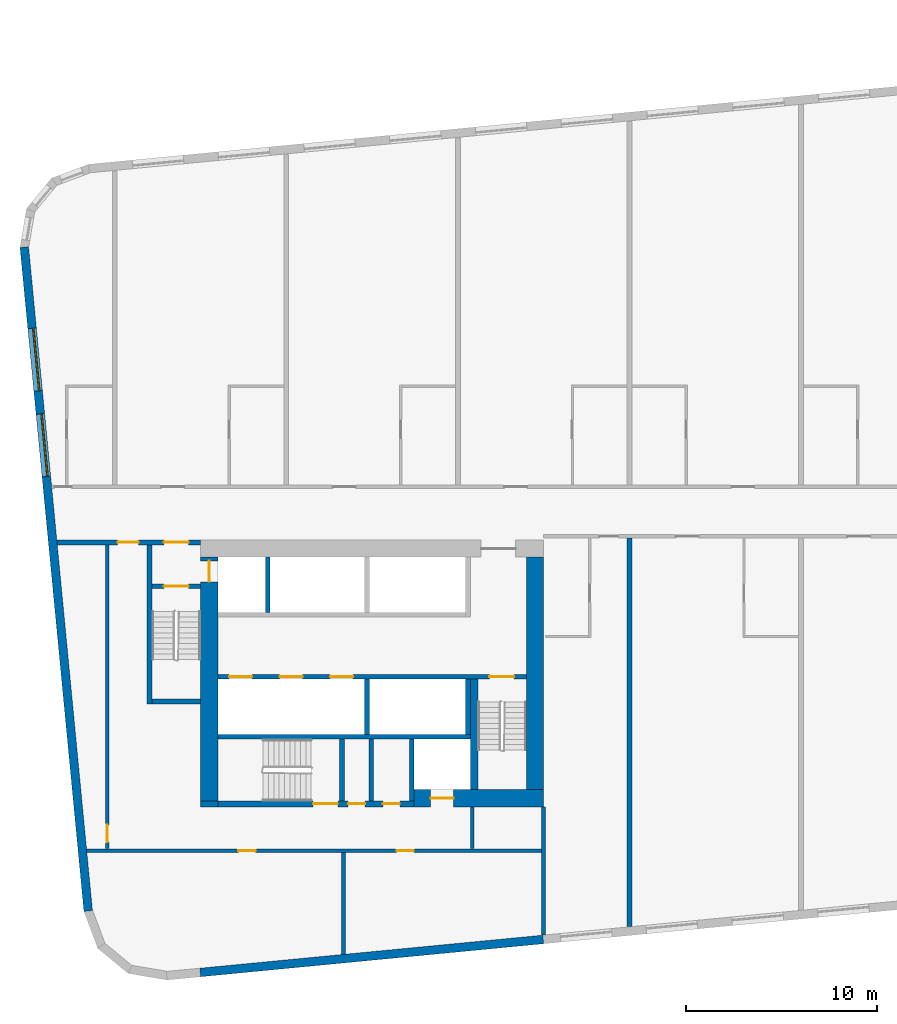
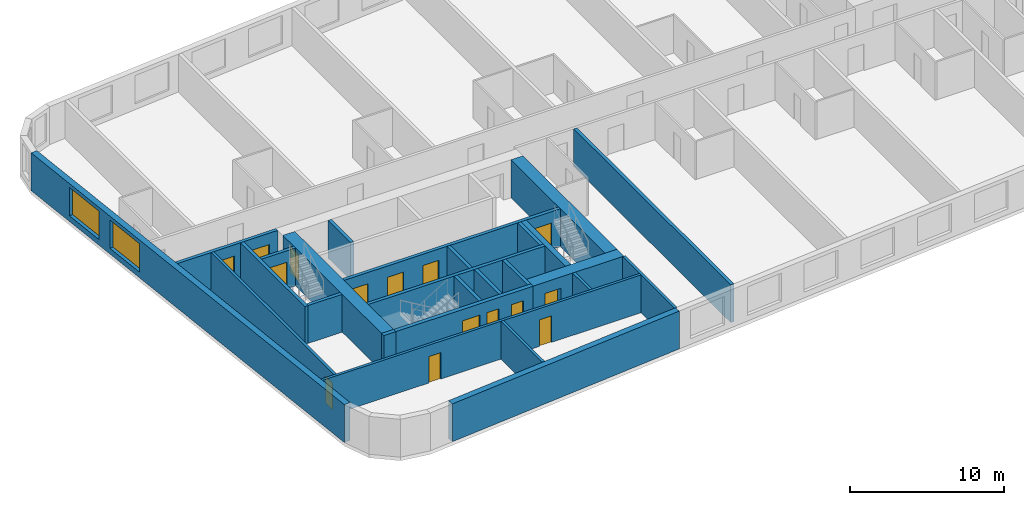
# One storey, part 2 of 12: 26 walls, 15 doors, 2 windows, 17 openings.
"""IFC4 building model written with IfcOpenShell, lengths in metres."""

import ifcopenshell
import ifcopenshell.guid

model = None  # the IFC model being written
_history = None  # IfcOwnerHistory: only IFC2X3 demands one
_inside = {}  # id of a spatial element -> (the spatial element, [elements in it])
_under = {}  # id of a project, library or spatial element -> (it, [spatial elements below it])
_declared = {}  # id of a project -> (the project, [libraries it declares])
_typed = {}  # id of a type object -> (the type object, [elements of that type])
_made_of = {}  # id of a material, layer set ... -> (it, [elements and type objects made of it])


def new_model(schema):
    """Start an empty IFC model of exactly this schema.

    Asked for "IFC4X3", IfcOpenShell would pick the latest addendum, in which some entities
    have other attributes; the version numbers below select the first issue.
    IFC2X3 requires an IfcOwnerHistory on every rooted entity: one is made here for all.
    """
    global model, _history
    if schema == "IFC4X3":
        model = ifcopenshell.file(schema_version=(4, 3, 0, 0))
    else:
        model = ifcopenshell.file(schema=schema)
    _inside.clear()
    _under.clear()
    _declared.clear()
    _typed.clear()
    _made_of.clear()
    _history = None
    if model.schema == "IFC2X3":
        org = make("IfcOrganization", Name="unknown")
        user = make(
            "IfcPersonAndOrganization",
            ThePerson=make("IfcPerson", FamilyName="unknown"),
            TheOrganization=org,
        )
        app = make(
            "IfcApplication",
            ApplicationDeveloper=org,
            Version="unknown",
            ApplicationFullName="unknown",
            ApplicationIdentifier="unknown",
        )
        _history = make(
            "IfcOwnerHistory",
            OwningUser=user,
            OwningApplication=app,
            ChangeAction="ADDED",
            CreationDate=0,
        )
    return model


def make(cls, **values):
    """One entity of the class cls with the attributes given. An attribute that is None is left unset."""
    return model.create_entity(
        cls, **{name: value for name, value in values.items() if value is not None}
    )


def rooted(cls, **values):
    """An entity with a GlobalId (a new one), such as an element, a storey or a relation."""
    return make(cls, GlobalId=ifcopenshell.guid.new(), OwnerHistory=_history, **values)


def si_unit(unit_type, name, prefix=None):
    """IfcSIUnit, for example si_unit("LENGTHUNIT", "METRE", prefix="MILLI")."""
    return make("IfcSIUnit", UnitType=unit_type, Prefix=prefix, Name=name)


def assignment(units):
    """IfcUnitAssignment: the units of a project."""
    return None if units is None else make("IfcUnitAssignment", Units=units)


def point(xyz):
    """IfcCartesianPoint."""
    return None if xyz is None else make("IfcCartesianPoint", Coordinates=xyz)


def direction(xyz):
    """IfcDirection."""
    return None if xyz is None else make("IfcDirection", DirectionRatios=xyz)


def frame(location, z_axis=None, x_axis=None):
    """IfcAxis2Placement3D, a coordinate frame: its origin and axes. An axis left out is left unset."""
    return make(
        "IfcAxis2Placement3D",
        Location=point(location),
        Axis=direction(z_axis),
        RefDirection=direction(x_axis),
    )


def frame_2d(location, x_axis=None):
    """IfcAxis2Placement2D, a coordinate frame in the plane: its origin and x axis."""
    return make(
        "IfcAxis2Placement2D", Location=point(location), RefDirection=direction(x_axis)
    )


def origin():
    """The frame at (0, 0, 0) with its axes left unset."""
    return frame((0.0, 0.0, 0.0))


def place(relative_to, where):
    """IfcLocalPlacement: puts the frame where relative to a parent placement (None: the world)."""
    return make(
        "IfcLocalPlacement", PlacementRelTo=relative_to, RelativePlacement=where
    )


def context(
    kind, dimensions, precision=None, world=None, true_north=None, identifier=None
):
    """IfcGeometricRepresentationContext, for example the 3D "Model" context."""
    return make(
        "IfcGeometricRepresentationContext",
        ContextIdentifier=identifier,
        ContextType=kind,
        CoordinateSpaceDimension=dimensions,
        Precision=precision,
        WorldCoordinateSystem=world,
        TrueNorth=true_north,
    )


def subcontext(parent, identifier, kind, view, scale=None):
    """IfcGeometricRepresentationSubContext, for example "Body" below "Model"."""
    return make(
        "IfcGeometricRepresentationSubContext",
        ContextIdentifier=identifier,
        ContextType=kind,
        ParentContext=parent,
        TargetScale=scale,
        TargetView=view,
    )


def project(units=None, contexts=None):
    """IfcProject with its units and contexts."""
    return rooted(
        "IfcProject",
        Name="project",
        RepresentationContexts=contexts,
        UnitsInContext=assignment(units),
    )


def spatial(cls, under=None, at=None, **own):
    """A site, building, storey or space (cls), placed at a placement, below another one or the project."""
    s = rooted(cls, ObjectPlacement=at, **own)
    if under is not None:
        _under.setdefault(under.id(), (under, []))[1].append(s)
    return s


def profile(cls, at=None, kind="AREA", **sizes):
    """A parametric profile (cls). Its sizes go by their IFC names, for example OverallWidth=200.0."""
    return make(cls, ProfileType=kind, Position=at, **sizes)


def rectangle(**sizes):
    """IfcRectangleProfileDef."""
    return profile("IfcRectangleProfileDef", **sizes)


def extrude(swept, where, along, depth):
    """IfcExtrudedAreaSolid: the profile swept, set in the frame where, extruded along a direction by depth."""
    return make(
        "IfcExtrudedAreaSolid",
        SweptArea=swept,
        Position=where,
        ExtrudedDirection=direction(along),
        Depth=depth,
    )


def shape(context_of_items, identifier, shape_type, items):
    """IfcShapeRepresentation: the items that make up one representation, for example the "Body"."""
    return make(
        "IfcShapeRepresentation",
        ContextOfItems=context_of_items,
        RepresentationIdentifier=identifier,
        RepresentationType=shape_type,
        Items=items,
    )


def material(Name=None, Category=None):
    """IfcMaterial."""
    return make("IfcMaterial", Name=Name, Category=Category)


def layer(
    of_material, thickness, ventilated=None, Name=None, Category=None, Priority=None
):
    """IfcMaterialLayer: one layer of a wall or slab, of a material (None: an air gap)."""
    return make(
        "IfcMaterialLayer",
        Material=of_material,
        LayerThickness=thickness,
        IsVentilated=ventilated,
        Name=Name,
        Category=Category,
        Priority=Priority,
    )


def layer_set(layers, Name=None):
    """IfcMaterialLayerSet."""
    return make("IfcMaterialLayerSet", MaterialLayers=layers, LayerSetName=Name)


def made_of(thing, what):
    """Note that an element or type object is made of a material, layer set ...; save() writes the relation."""
    if what is not None:
        _made_of.setdefault(what.id(), (what, []))[1].append(thing)
    return thing


def type_object(cls, material=None, **own):
    """A type object (cls), such as IfcWallType, which elements share."""
    return made_of(rooted(cls, **own), material)


def element(
    cls,
    number,
    at=None,
    inside=None,
    cuts=None,
    type_object=None,
    material=None,
    context=None,
    identifier="Body",
    shape_type=None,
    held_by="IfcProductDefinitionShape",
    body=None,
    shapes=None,
    **own,
):
    """One element of the class cls, such as IfcWall. Its Tag is "e" and its number.

    at: its placement. inside: the storey or other place that contains it. cuts: it is an
    opening in that element (IfcRelVoidsElement). A single representation is given by context,
    identifier, shape_type and body (its items); several are given by shapes. held_by: the class
    of the entity that holds the representations. save() writes the other relations.
    """
    e = rooted(cls, Tag="e%d" % number, ObjectPlacement=at, **own)
    if body is not None:
        shapes = [shape(context, identifier, shape_type, body)]
    if shapes is not None:
        e.Representation = make(held_by, Representations=shapes)
    if inside is not None:
        _inside.setdefault(inside.id(), (inside, []))[1].append(e)
    if cuts is not None:
        rooted(
            "IfcRelVoidsElement", RelatingBuildingElement=cuts, RelatedOpeningElement=e
        )
    if type_object is not None:
        _typed.setdefault(type_object.id(), (type_object, []))[1].append(e)
    return made_of(e, material)


def fill(opening, filler):
    """IfcRelFillsElement: the door or window that sits in an opening."""
    return rooted(
        "IfcRelFillsElement",
        RelatingOpeningElement=opening,
        RelatedBuildingElement=filler,
    )


def aggregate(whole, parts):
    """IfcRelAggregates: a whole, such as a stair, and the parts it consists of."""
    return rooted("IfcRelAggregates", RelatingObject=whole, RelatedObjects=parts)


def save(model, path):
    """Write the relations noted so far, then the file.

    IfcRelAggregates (storeys below a building ...), IfcRelContainedInSpatialStructure (elements
    in a storey), IfcRelDefinesByType, IfcRelAssociatesMaterial and IfcRelDeclares: one each for
    every whole, place, type object, material and project.
    """
    for whole, parts in _under.values():
        aggregate(whole, parts)
    for where, things in _inside.values():
        rooted(
            "IfcRelContainedInSpatialStructure",
            RelatedElements=things,
            RelatingStructure=where,
        )
    for kind, things in _typed.values():
        rooted("IfcRelDefinesByType", RelatedObjects=things, RelatingType=kind)
    for what, things in _made_of.values():
        rooted("IfcRelAssociatesMaterial", RelatedObjects=things, RelatingMaterial=what)
    for by, libraries in _declared.values():
        rooted("IfcRelDeclares", RelatingContext=by, RelatedDefinitions=libraries)
    model.write(path)


model = new_model("IFC4")

# Units and contexts
model_context = context("Model", 3, precision=1e-05, world=origin(), true_north=direction((0.0, 1.0)))
body_context = subcontext(model_context, "Body", "Model", "MODEL_VIEW")
ifc_project = project(units=[si_unit("LENGTHUNIT", "METRE"), si_unit("AREAUNIT", "SQUARE_METRE"), si_unit("VOLUMEUNIT", "CUBIC_METRE"), si_unit("PLANEANGLEUNIT", "RADIAN"), si_unit("MASSUNIT", "GRAM", prefix="KILO")], contexts=[model_context])

# Site, building, storey
site_placement = place(None, origin())
site = spatial("IfcSite", under=ifc_project, at=site_placement, CompositionType="ELEMENT")
building_placement = place(site_placement, origin())
building = spatial("IfcBuilding", under=site, at=building_placement, Name="Kajstack Hotel Tower", CompositionType="ELEMENT")
storey_placement = place(building_placement, frame((0.0, 0.0, 147.10009765625)))
storey = spatial("IfcBuildingStorey", under=building, at=storey_placement, Name="L34", CompositionType="ELEMENT", Elevation=147.10009765625)

# Wall, opening, door
ifc_material_1 = material(Name="Concrete C60/75", Category="concrete")
ifc_layer_1 = layer(ifc_material_1, 0.89990234375)
ifc_layer_set_1 = layer_set([ifc_layer_1], Name="Core wall 900")
wall_type_1 = type_object("IfcWallType", Name="Core wall 900", PredefinedType="SHEAR", material=ifc_layer_set_1)
wall_1_placement = place(storey_placement, frame((-20.300048828125, -15.050048828125, 0.0), z_axis=(0.0, 0.0, 1.0), x_axis=(1.0, 0.0, 0.0)))
wall_1 = element("IfcWall", 1, at=wall_1_placement, inside=storey, type_object=wall_type_1, Name="Core wall W RS", PredefinedType="SHEAR", context=body_context, shape_type="SweptSolid", body=[
    extrude(rectangle(XDim=6.800048828125, YDim=0.89990234375, at=frame_2d((3.39990234375, 0.0))), origin(), (0.0, 0.0, 1.0), 3.0),
])
opening_1_placement = place(wall_1_placement, frame((0.875, 0.0, 0.0)))
opening_1 = element("IfcOpeningElement", 2, at=opening_1_placement, cuts=wall_1, Name="Opening LD-SV1", PredefinedType="OPENING", context=body_context, shape_type="SweptSolid", body=[
    extrude(rectangle(XDim=1.199951171875, YDim=2.10009765625, at=frame_2d((0.60009765625, 1.050048828125))), frame((0.0, 0.4599609375, 0.0), z_axis=(0.0, -1.0, 0.0), x_axis=(1.0, 0.0, 0.0)), (0.0, 0.0, 1.0), 0.919921875),
])
ifc_material_2 = material(Name="Stainless steel", Category="steel")
door_type_1 = type_object("IfcDoorType", Name="Lift landing door 1200", OperationType="SLIDING_TO_LEFT", PredefinedType="DOOR", material=ifc_material_2)
door_1_placement = place(opening_1_placement, origin())
door_1 = element("IfcDoor", 3, at=door_1_placement, inside=storey, type_object=door_type_1, Name="Landing door SV1", OperationType="SLIDING_TO_LEFT", OverallHeight=2.10009765625, OverallWidth=1.199951171875, PredefinedType="DOOR", context=body_context, shape_type="SweptSolid", body=[
    extrude(rectangle(XDim=1.199951171875, YDim=2.10009765625, at=frame_2d((0.60009765625, 1.050048828125))), frame((0.0, 0.02490234375, 0.0), z_axis=(0.0, -1.0, 0.0), x_axis=(1.0, 0.0, 0.0)), (0.0, 0.0, 1.0), 0.050048828125),
])
fill(opening_1, door_1)

# Wall
wall_2_placement = place(storey_placement, frame((-31.5, -15.35009765625, 0.0), z_axis=(0.0, 0.0, 1.0), x_axis=(1.0, 0.0, 0.0)))
element("IfcWall", 4, at=wall_2_placement, inside=storey, type_object=wall_type_1, Name="Core wall W RSW", PredefinedType="SHEAR", context=body_context, shape_type="SweptSolid", body=[
    extrude(rectangle(XDim=0.89990234375, YDim=0.300048828125, at=frame_2d((0.449951171875, 0.0))), origin(), (0.0, 0.0, 1.0), 3.0),
])

# Wall, opening, door
wall_3_placement = place(storey_placement, frame((-31.050048828125, -15.199951171875, 0.0), z_axis=(0.0, 0.0, 1.0), x_axis=(0.0, 1.0, 0.0)))
wall_3 = element("IfcWall", 5, at=wall_3_placement, inside=storey, type_object=wall_type_1, Name="Core wall W RW", PredefinedType="SHEAR", context=body_context, shape_type="SweptSolid", body=[
    extrude(rectangle(XDim=12.800048828125, YDim=0.89990234375, at=frame_2d((6.39990234375, 0.0))), origin(), (0.0, 0.0, 1.0), 3.0),
])
opening_2_placement = place(wall_3_placement, frame((11.5, 0.0, 0.0)))
opening_2 = element("IfcOpeningElement", 6, at=opening_2_placement, cuts=wall_3, Name="Opening LD-FF1", PredefinedType="OPENING", context=body_context, shape_type="SweptSolid", body=[
    extrude(rectangle(XDim=1.10009765625, YDim=2.10009765625, at=frame_2d((0.550048828125, 1.050048828125))), frame((0.0, 0.4599609375, 0.0), z_axis=(0.0, -1.0, 0.0), x_axis=(1.0, 0.0, 0.0)), (0.0, 0.0, 1.0), 0.919921875),
])
door_type_2 = type_object("IfcDoorType", Name="Fire-fighting lift landing door 1100", OperationType="SLIDING_TO_LEFT", PredefinedType="DOOR", material=ifc_material_2)
door_2_placement = place(opening_2_placement, origin())
door_2 = element("IfcDoor", 7, at=door_2_placement, inside=storey, type_object=door_type_2, Name="Landing door FF1", OperationType="SLIDING_TO_RIGHT", OverallHeight=2.10009765625, OverallWidth=1.10009765625, PredefinedType="DOOR", context=body_context, shape_type="SweptSolid", body=[
    extrude(rectangle(XDim=1.10009765625, YDim=2.10009765625, at=frame_2d((0.550048828125, 1.050048828125))), frame((0.0, 0.02490234375, 0.0), z_axis=(0.0, -1.0, 0.0), x_axis=(1.0, 0.0, 0.0)), (0.0, 0.0, 1.0), 0.050048828125),
])
fill(opening_2, door_2)

# Walls
wall_4_placement = place(storey_placement, frame((-13.949951171875, -14.60009765625, 0.0), z_axis=(0.0, 0.0, 1.0), x_axis=(0.0, 1.0, 0.0)))
element("IfcWall", 8, at=wall_4_placement, inside=storey, type_object=wall_type_1, Name="Core wall W RE", PredefinedType="SHEAR", context=body_context, shape_type="SweptSolid", body=[
    extrude(rectangle(XDim=12.2001953125, YDim=0.89990234375, at=frame_2d((6.10009765625, 0.0))), origin(), (0.0, 0.0, 1.0), 3.0),
])
ifc_material_3 = material(Name="Twin-frame gypsum board on steel studs, mineral wool", Category="steel")
ifc_layer_2 = layer(ifc_material_3, 0.199951171875)
ifc_layer_set_2 = layer_set([ifc_layer_2], Name="Demising wall 200")
wall_type_2 = type_object("IfcWallType", Name="Demising wall 200", PredefinedType="PARTITIONING", material=ifc_layer_set_2)
wall_5_placement = place(storey_placement, frame((-13.5, -22.23193359375, 0.0), z_axis=(0.0, 0.0, 1.0), x_axis=(0.0, 1.0, 0.0)))
element("IfcWall", 9, at=wall_5_placement, inside=storey, type_object=wall_type_2, Name="G-wall-L34-002", PredefinedType="PARTITIONING", context=body_context, shape_type="SweptSolid", body=[
    extrude(rectangle(XDim=6.73193359375, YDim=0.199951171875, at=frame_2d((3.365966796875, 0.0))), origin(), (0.0, 0.0, 1.0), 3.0),
])
ifc_material_4 = material(Name="Concrete C40/50", Category="concrete")
ifc_layer_3 = layer(ifc_material_4, 0.449951171875)
ifc_layer_set_3 = layer_set([ifc_layer_3], Name="EW-CORE")
wall_type_3 = type_object("IfcWallType", Name="EW-CORE", PredefinedType="SOLIDWALL", material=ifc_layer_set_3)
wall_6_placement = place(storey_placement, frame((-31.521484375, -24.193603515625, 0.0), z_axis=(0.0, 0.0, 1.0), x_axis=(0.995396454615, 0.095843091245, 0.0)))
element("IfcWall", 10, at=wall_6_placement, inside=storey, type_object=wall_type_3, Name="E-wall-L34-04-01", PredefinedType="SOLIDWALL", context=body_context, shape_type="SweptSolid", body=[
    extrude(rectangle(XDim=18.083251953125, YDim=0.449951171875, at=frame_2d((9.04150390625, 0.0))), origin(), (0.0, 0.0, 1.0), 3.0),
])

# Wall, openings, windows
ifc_material_5 = material(Name="Terracotta-faced brick masonry", Category="masonry")
ifc_layer_4 = layer(ifc_material_5, 0.449951171875)
ifc_layer_set_4 = layer_set([ifc_layer_4], Name="EW-TERRA")
wall_type_4 = type_object("IfcWallType", Name="EW-TERRA", PredefinedType="SOLIDWALL", material=ifc_layer_set_4)
wall_7_placement = place(storey_placement, frame((-40.7529296875, 13.87158203125, 0.0), z_axis=(0.0, 0.0, 1.0), x_axis=(0.095843327381, -0.995396431878, 0.0)))
wall_7 = element("IfcWall", 11, at=wall_7_placement, inside=storey, type_object=wall_type_4, Name="E-wall-L34-00-00", PredefinedType="SOLIDWALL", context=body_context, shape_type="SweptSolid", body=[
    extrude(rectangle(XDim=34.999755859375, YDim=0.449951171875, at=frame_2d((17.5, 0.0))), origin(), (0.0, 0.0, 1.0), 3.0),
])
opening_3_placement = place(wall_7_placement, frame((4.27734375, 0.0, 0.449951171875)))
opening_3 = element("IfcOpeningElement", 12, at=opening_3_placement, cuts=wall_7, Name="Opening W2", PredefinedType="OPENING", context=body_context, shape_type="SweptSolid", body=[
    extrude(rectangle(XDim=3.300048828125, YDim=2.25, at=frame_2d((1.64990234375, 1.125))), frame((0.0, 0.23486328125, 0.0), z_axis=(0.0, -1.0, 0.0), x_axis=(1.0, 0.0, 0.0)), (0.0, 0.0, 1.0), 0.469970703125),
])
opening_4_placement = place(wall_7_placement, frame((8.798095703125, 0.0, 0.449951171875)))
opening_4 = element("IfcOpeningElement", 13, at=opening_4_placement, cuts=wall_7, Name="Opening W2", PredefinedType="OPENING", context=body_context, shape_type="SweptSolid", body=[
    extrude(rectangle(XDim=3.300048828125, YDim=2.25, at=frame_2d((1.64990234375, 1.125))), frame((0.0, 0.23486328125, 0.0), z_axis=(0.0, -1.0, 0.0), x_axis=(1.0, 0.0, 0.0)), (0.0, 0.0, 1.0), 0.469970703125),
])
ifc_material_6 = material(Name="Timber-aluminium window, triple glazed", Category="wood")
window_type = type_object("IfcWindowType", Name="WG2", PartitioningType="SINGLE_PANEL", PredefinedType="WINDOW", material=ifc_material_6)
window_1_placement = place(opening_3_placement, origin())
window_1 = element("IfcWindow", 14, at=window_1_placement, inside=storey, type_object=window_type, Name="Window W2 L34-00", OverallHeight=2.25, OverallWidth=3.300048828125, PartitioningType="SINGLE_PANEL", PredefinedType="WINDOW", context=body_context, shape_type="SweptSolid", body=[
    extrude(rectangle(XDim=3.300048828125, YDim=2.25, at=frame_2d((1.64990234375, 1.125))), frame((0.0, 0.090087890625, 0.0), z_axis=(0.0, -1.0, 0.0), x_axis=(1.0, 0.0, 0.0)), (0.0, 0.0, 1.0), 0.06005859375),
])
fill(opening_3, window_1)
window_2_placement = place(opening_4_placement, origin())
window_2 = element("IfcWindow", 15, at=window_2_placement, inside=storey, type_object=window_type, Name="Window W2 L34-00", OverallHeight=2.25, OverallWidth=3.300048828125, PartitioningType="SINGLE_PANEL", PredefinedType="WINDOW", context=body_context, shape_type="SweptSolid", body=[
    extrude(rectangle(XDim=3.300048828125, YDim=2.25, at=frame_2d((1.64990234375, 1.125))), frame((0.0, 0.090087890625, 0.0), z_axis=(0.0, -1.0, 0.0), x_axis=(1.0, 0.0, 0.0)), (0.0, 0.0, 1.0), 0.06005859375),
])
fill(opening_4, window_2)

# Walls
ifc_material_7 = material(Name="Concrete C50/60", Category="concrete")
ifc_layer_5 = layer(ifc_material_7, 0.300048828125)
ifc_layer_set_5 = layer_set([ifc_layer_5], Name="Hoistway divider wall 300")
wall_type_5 = type_object("IfcWallType", Name="Hoistway divider wall 300", PredefinedType="SHEAR", material=ifc_layer_set_5)
wall_8_placement = place(storey_placement, frame((-22.77490234375, -11.699951171875, 0.0), z_axis=(0.0, 0.0, 1.0), x_axis=(0.0, 1.0, 0.0)))
element("IfcWall", 16, at=wall_8_placement, inside=storey, type_object=wall_type_5, Name="Core wall W BP2", PredefinedType="SHEAR", context=body_context, shape_type="SweptSolid", body=[
    extrude(rectangle(XDim=2.89990234375, YDim=0.25, at=frame_2d((1.449951171875, 0.0))), origin(), (0.0, 0.0, 1.0), 3.0),
])
ifc_material_8 = material(Name="Concrete C55/67", Category="concrete")
ifc_layer_6 = layer(ifc_material_8, 0.25)
ifc_layer_set_6 = layer_set([ifc_layer_6], Name="RC cross wall 250 C55/67")
wall_type_6 = type_object("IfcWallType", Name="RC cross wall 250 C55/67", PredefinedType="SHEAR", material=ifc_layer_set_6)
wall_9_placement = place(storey_placement, frame((-9.0, -21.777099609375, 0.0), z_axis=(0.0, 0.0, 1.0), x_axis=(0.0, 1.0, 0.0)))
element("IfcWall", 17, at=wall_9_placement, inside=storey, type_object=wall_type_6, Name="S-wall-L34-04", PredefinedType="SHEAR", context=body_context, shape_type="SweptSolid", body=[
    extrude(rectangle(XDim=20.377197265625, YDim=0.25, at=frame_2d((10.1884765625, 0.0))), origin(), (0.0, 0.0, 1.0), 3.0),
])
ifc_material_9 = material(Name="Concrete block masonry", Category="masonry")
ifc_layer_7 = layer(ifc_material_9, 0.25)
ifc_layer_set_7 = layer_set([ifc_layer_7], Name="Riser partition 250")
wall_type_7 = type_object("IfcWallType", Name="Riser partition 250", PredefinedType="PARTITIONING", material=ifc_layer_set_7)
wall_10_placement = place(storey_placement, frame((-22.550048828125, -15.199951171875, 0.0), z_axis=(0.0, 0.0, 1.0), x_axis=(0.0, 1.0, 0.0)))
element("IfcWall", 18, at=wall_10_placement, inside=storey, type_object=wall_type_7, Name="Partition W SZ0", PredefinedType="PARTITIONING", context=body_context, shape_type="SweptSolid", body=[
    extrude(rectangle(XDim=3.25, YDim=0.25, at=frame_2d((1.625, 0.0))), origin(), (0.0, 0.0, 1.0), 3.0),
])

# Wall, openings, doors
ifc_material_10 = material(Name="Gypsum board on steel studs, mineral wool", Category="steel")
ifc_layer_8 = layer(ifc_material_10, 0.199951171875)
ifc_layer_set_8 = layer_set([ifc_layer_8], Name="Service partition 200")
wall_type_8 = type_object("IfcWallType", Name="Service partition 200", PredefinedType="PARTITIONING", material=ifc_layer_set_8)
wall_11_placement = place(storey_placement, frame((-39.034912109375, -1.625, 0.0), z_axis=(0.0, 0.0, 1.0), x_axis=(1.0, 0.0, 0.0)))
wall_11 = element("IfcWall", 19, at=wall_11_placement, inside=storey, type_object=wall_type_8, Name="Partition W SN", PredefinedType="PARTITIONING", context=body_context, shape_type="SweptSolid", body=[
    extrude(rectangle(XDim=7.534912109375, YDim=0.25, at=frame_2d((3.767578125, 0.0))), origin(), (0.0, 0.0, 1.0), 3.0),
])
opening_5_placement = place(wall_11_placement, frame((5.60986328125, 0.0, 0.0)))
opening_5 = element("IfcOpeningElement", 20, at=opening_5_placement, cuts=wall_11, Name="Opening 34W07", PredefinedType="OPENING", context=body_context, shape_type="SweptSolid", body=[
    extrude(rectangle(XDim=1.300048828125, YDim=2.10009765625, at=frame_2d((0.64990234375, 1.050048828125))), frame((0.0, 0.135009765625, 0.0), z_axis=(0.0, -1.0, 0.0), x_axis=(1.0, 0.0, 0.0)), (0.0, 0.0, 1.0), 0.27001953125),
])
opening_6_placement = place(wall_11_placement, frame((3.184814453125, 0.0, 0.0)))
opening_6 = element("IfcOpeningElement", 21, at=opening_6_placement, cuts=wall_11, Name="Opening 34W09", PredefinedType="OPENING", context=body_context, shape_type="SweptSolid", body=[
    extrude(rectangle(XDim=1.10009765625, YDim=2.10009765625, at=frame_2d((0.550048828125, 1.050048828125))), frame((0.0, 0.135009765625, 0.0), z_axis=(0.0, -1.0, 0.0), x_axis=(1.0, 0.0, 0.0)), (0.0, 0.0, 1.0), 0.27001953125),
])
ifc_material_11 = material(Name="Steel leaf, fire-rated", Category="steel")
door_type_3 = type_object("IfcDoorType", Name="Fire lobby door 1300", OperationType="SINGLE_SWING_LEFT", PredefinedType="DOOR", material=ifc_material_11)
door_3_placement = place(opening_5_placement, origin())
door_3 = element("IfcDoor", 22, at=door_3_placement, inside=storey, type_object=door_type_3, Name="Door 34W07", OperationType="SINGLE_SWING_RIGHT", OverallHeight=2.10009765625, OverallWidth=1.300048828125, PredefinedType="DOOR", context=body_context, shape_type="SweptSolid", body=[
    extrude(rectangle(XDim=1.300048828125, YDim=2.10009765625, at=frame_2d((0.64990234375, 1.050048828125))), frame((0.0, 0.02490234375, 0.0), z_axis=(0.0, -1.0, 0.0), x_axis=(1.0, 0.0, 0.0)), (0.0, 0.0, 1.0), 0.050048828125),
])
fill(opening_5, door_3)
ifc_material_12 = material(Name="Timber leaf, fire-rated", Category="wood")
door_type_4 = type_object("IfcDoorType", Name="Service corridor door 1100", OperationType="SINGLE_SWING_LEFT", PredefinedType="DOOR", material=ifc_material_12)
door_4_placement = place(opening_6_placement, origin())
door_4 = element("IfcDoor", 23, at=door_4_placement, inside=storey, type_object=door_type_4, Name="Door 34W09", OperationType="SINGLE_SWING_RIGHT", OverallHeight=2.10009765625, OverallWidth=1.10009765625, PredefinedType="DOOR", context=body_context, shape_type="SweptSolid", body=[
    extrude(rectangle(XDim=1.10009765625, YDim=2.10009765625, at=frame_2d((0.550048828125, 1.050048828125))), frame((0.0, 0.02490234375, 0.0), z_axis=(0.0, -1.0, 0.0), x_axis=(1.0, 0.0, 0.0)), (0.0, 0.0, 1.0), 0.050048828125),
])
fill(opening_6, door_4)

# Wall
wall_12_placement = place(storey_placement, frame((-17.25, -17.699951171875, 0.0), z_axis=(0.0, 0.0, 1.0), x_axis=(0.0, 1.0, 0.0)))
element("IfcWall", 24, at=wall_12_placement, inside=storey, type_object=wall_type_8, Name="Partition W SCE", PredefinedType="PARTITIONING", context=body_context, shape_type="SweptSolid", body=[
    extrude(rectangle(XDim=2.199951171875, YDim=0.199951171875, at=frame_2d((1.10009765625, 0.0))), origin(), (0.0, 0.0, 1.0), 3.0),
])

# Wall, opening, door
wall_13_placement = place(storey_placement, frame((-36.39990234375, -17.699951171875, 0.0), z_axis=(0.0, 0.0, 1.0), x_axis=(0.0, 1.0, 0.0)))
wall_13 = element("IfcWall", 25, at=wall_13_placement, inside=storey, type_object=wall_type_8, Name="Partition W WRE", PredefinedType="PARTITIONING", context=body_context, shape_type="SweptSolid", body=[
    extrude(rectangle(XDim=15.949951171875, YDim=0.199951171875, at=frame_2d((7.97509765625, 0.0))), origin(), (0.0, 0.0, 1.0), 3.0),
])
opening_7_placement = place(wall_13_placement, frame((0.35009765625, 0.0, 0.0)))
opening_7 = element("IfcOpeningElement", 26, at=opening_7_placement, cuts=wall_13, Name="Opening 34W16", PredefinedType="OPENING", context=body_context, shape_type="SweptSolid", body=[
    extrude(rectangle(XDim=0.89990234375, YDim=2.10009765625, at=frame_2d((0.449951171875, 1.050048828125))), frame((0.0, 0.10986328125, 0.0), z_axis=(0.0, -1.0, 0.0), x_axis=(1.0, 0.0, 0.0)), (0.0, 0.0, 1.0), 0.219970703125),
])
door_type_5 = type_object("IfcDoorType", Name="Service door 900", OperationType="SINGLE_SWING_LEFT", PredefinedType="DOOR", material=ifc_material_12)
door_5_placement = place(opening_7_placement, origin())
door_5 = element("IfcDoor", 27, at=door_5_placement, inside=storey, type_object=door_type_5, Name="Door 34W16", OperationType="SINGLE_SWING_LEFT", OverallHeight=2.10009765625, OverallWidth=0.89990234375, PredefinedType="DOOR", context=body_context, shape_type="SweptSolid", body=[
    extrude(rectangle(XDim=0.89990234375, YDim=2.10009765625, at=frame_2d((0.449951171875, 1.050048828125))), frame((0.0, 0.02490234375, 0.0), z_axis=(0.0, -1.0, 0.0), x_axis=(1.0, 0.0, 0.0)), (0.0, 0.0, 1.0), 0.050048828125),
])
fill(opening_7, door_5)

# Wall, openings, doors
wall_14_placement = place(storey_placement, frame((-37.477294921875, -17.800048828125, 0.0), z_axis=(0.0, 0.0, 1.0), x_axis=(1.0, 0.0, 0.0)))
wall_14 = element("IfcWall", 28, at=wall_14_placement, inside=storey, type_object=wall_type_8, Name="Partition W SLN", PredefinedType="PARTITIONING", context=body_context, shape_type="SweptSolid", body=[
    extrude(rectangle(XDim=23.877197265625, YDim=0.199951171875, at=frame_2d((11.9384765625, 0.0))), origin(), (0.0, 0.0, 1.0), 3.0),
])
opening_8_placement = place(wall_14_placement, frame((7.96484375, 0.0, 0.0)))
opening_8 = element("IfcOpeningElement", 29, at=opening_8_placement, cuts=wall_14, Name="Opening 34W14", PredefinedType="OPENING", context=body_context, shape_type="SweptSolid", body=[
    extrude(rectangle(XDim=0.89990234375, YDim=2.10009765625, at=frame_2d((0.449951171875, 1.050048828125))), frame((0.0, 0.10986328125, 0.0), z_axis=(0.0, -1.0, 0.0), x_axis=(1.0, 0.0, 0.0)), (0.0, 0.0, 1.0), 0.219970703125),
])
opening_9_placement = place(wall_14_placement, frame((16.264892578125, 0.0, 0.0)))
opening_9 = element("IfcOpeningElement", 30, at=opening_9_placement, cuts=wall_14, Name="Opening 34W15", PredefinedType="OPENING", context=body_context, shape_type="SweptSolid", body=[
    extrude(rectangle(XDim=0.89990234375, YDim=2.10009765625, at=frame_2d((0.449951171875, 1.050048828125))), frame((0.0, 0.10986328125, 0.0), z_axis=(0.0, -1.0, 0.0), x_axis=(1.0, 0.0, 0.0)), (0.0, 0.0, 1.0), 0.219970703125),
])
door_6_placement = place(opening_8_placement, origin())
door_6 = element("IfcDoor", 31, at=door_6_placement, inside=storey, type_object=door_type_5, Name="Door 34W14", OperationType="SINGLE_SWING_RIGHT", OverallHeight=2.10009765625, OverallWidth=0.89990234375, PredefinedType="DOOR", context=body_context, shape_type="SweptSolid", body=[
    extrude(rectangle(XDim=0.89990234375, YDim=2.10009765625, at=frame_2d((0.449951171875, 1.050048828125))), frame((0.0, 0.02490234375, 0.0), z_axis=(0.0, -1.0, 0.0), x_axis=(1.0, 0.0, 0.0)), (0.0, 0.0, 1.0), 0.050048828125),
])
fill(opening_8, door_6)
door_7_placement = place(opening_9_placement, origin())
door_7 = element("IfcDoor", 32, at=door_7_placement, inside=storey, type_object=door_type_5, Name="Door 34W15", OperationType="SINGLE_SWING_RIGHT", OverallHeight=2.10009765625, OverallWidth=0.89990234375, PredefinedType="DOOR", context=body_context, shape_type="SweptSolid", body=[
    extrude(rectangle(XDim=0.89990234375, YDim=2.10009765625, at=frame_2d((0.449951171875, 1.050048828125))), frame((0.0, 0.02490234375, 0.0), z_axis=(0.0, -1.0, 0.0), x_axis=(1.0, 0.0, 0.0)), (0.0, 0.0, 1.0), 0.050048828125),
])
fill(opening_9, door_7)

# Wall
wall_15_placement = place(storey_placement, frame((-24.0, -23.244384765625, 0.0), z_axis=(0.0, 0.0, 1.0), x_axis=(0.0, 1.0, 0.0)))
element("IfcWall", 33, at=wall_15_placement, inside=storey, type_object=wall_type_8, Name="Partition W SLP0", PredefinedType="PARTITIONING", context=body_context, shape_type="SweptSolid", body=[
    extrude(rectangle(XDim=5.344482421875, YDim=0.199951171875, at=frame_2d((2.67236328125, 0.0))), origin(), (0.0, 0.0, 1.0), 3.0),
])

# Wall, openings, doors
ifc_layer_9 = layer(ifc_material_7, 0.25)
ifc_layer_set_9 = layer_set([ifc_layer_9], Name="Shaft wall 250")
wall_type_9 = type_object("IfcWallType", Name="Shaft wall 250", PredefinedType="SHEAR", material=ifc_layer_set_9)
wall_16_placement = place(storey_placement, frame((-30.60009765625, -15.35009765625, 0.0), z_axis=(0.0, 0.0, 1.0), x_axis=(1.0, 0.0, 0.0)))
wall_16 = element("IfcWall", 34, at=wall_16_placement, inside=storey, type_object=wall_type_9, Name="Core wall W RSS", PredefinedType="SHEAR", context=body_context, shape_type="SweptSolid", body=[
    extrude(rectangle(XDim=10.300048828125, YDim=0.300048828125, at=frame_2d((5.14990234375, 0.0))), origin(), (0.0, 0.0, 1.0), 3.0),
])
opening_10_placement = place(wall_16_placement, frame((5.0, 0.0, 0.0)))
opening_10 = element("IfcOpeningElement", 35, at=opening_10_placement, cuts=wall_16, Name="Opening 34W11", PredefinedType="OPENING", context=body_context, shape_type="SweptSolid", body=[
    extrude(rectangle(XDim=1.300048828125, YDim=2.10009765625, at=frame_2d((0.64990234375, 1.050048828125))), frame((0.0, 0.159912109375, 0.0), z_axis=(0.0, -1.0, 0.0), x_axis=(1.0, 0.0, 0.0)), (0.0, 0.0, 1.0), 0.320068359375),
])
opening_11_placement = place(wall_16_placement, frame((6.83740234375, 0.0, 0.0)))
opening_11 = element("IfcOpeningElement", 36, at=opening_11_placement, cuts=wall_16, Name="Opening 34W12", PredefinedType="OPENING", context=body_context, shape_type="SweptSolid", body=[
    extrude(rectangle(XDim=0.89990234375, YDim=2.10009765625, at=frame_2d((0.449951171875, 1.050048828125))), frame((0.0, 0.159912109375, 0.0), z_axis=(0.0, -1.0, 0.0), x_axis=(1.0, 0.0, 0.0)), (0.0, 0.0, 1.0), 0.320068359375),
])
opening_12_placement = place(wall_16_placement, frame((8.66259765625, 0.0, 0.0)))
opening_12 = element("IfcOpeningElement", 37, at=opening_12_placement, cuts=wall_16, Name="Opening 34W13", PredefinedType="OPENING", context=body_context, shape_type="SweptSolid", body=[
    extrude(rectangle(XDim=0.89990234375, YDim=2.10009765625, at=frame_2d((0.449951171875, 1.050048828125))), frame((0.0, 0.159912109375, 0.0), z_axis=(0.0, -1.0, 0.0), x_axis=(1.0, 0.0, 0.0)), (0.0, 0.0, 1.0), 0.320068359375),
])
door_type_6 = type_object("IfcDoorType", Name="Riser door 900", OperationType="SINGLE_SWING_LEFT", PredefinedType="DOOR", material=ifc_material_11)
door_8_placement = place(opening_12_placement, origin())
door_8 = element("IfcDoor", 38, at=door_8_placement, inside=storey, type_object=door_type_6, Name="Door 34W13", OperationType="SINGLE_SWING_LEFT", OverallHeight=2.10009765625, OverallWidth=0.89990234375, PredefinedType="DOOR", context=body_context, shape_type="SweptSolid", body=[
    extrude(rectangle(XDim=0.89990234375, YDim=2.10009765625, at=frame_2d((0.449951171875, 1.050048828125))), frame((0.0, 0.02490234375, 0.0), z_axis=(0.0, -1.0, 0.0), x_axis=(1.0, 0.0, 0.0)), (0.0, 0.0, 1.0), 0.050048828125),
])
fill(opening_12, door_8)
door_9_placement = place(opening_11_placement, origin())
door_9 = element("IfcDoor", 39, at=door_9_placement, inside=storey, type_object=door_type_5, Name="Door 34W12", OperationType="SINGLE_SWING_LEFT", OverallHeight=2.10009765625, OverallWidth=0.89990234375, PredefinedType="DOOR", context=body_context, shape_type="SweptSolid", body=[
    extrude(rectangle(XDim=0.89990234375, YDim=2.10009765625, at=frame_2d((0.449951171875, 1.050048828125))), frame((0.0, 0.02490234375, 0.0), z_axis=(0.0, -1.0, 0.0), x_axis=(1.0, 0.0, 0.0)), (0.0, 0.0, 1.0), 0.050048828125),
])
fill(opening_11, door_9)
door_type_7 = type_object("IfcDoorType", Name="Stair door 1300", OperationType="SINGLE_SWING_LEFT", PredefinedType="DOOR", material=ifc_material_11)
door_10_placement = place(opening_10_placement, origin())
door_10 = element("IfcDoor", 40, at=door_10_placement, inside=storey, type_object=door_type_7, Name="Door 34W11", OperationType="SINGLE_SWING_RIGHT", OverallHeight=2.10009765625, OverallWidth=1.300048828125, PredefinedType="DOOR", context=body_context, shape_type="SweptSolid", body=[
    extrude(rectangle(XDim=1.300048828125, YDim=2.10009765625, at=frame_2d((0.64990234375, 1.050048828125))), frame((0.0, 0.02490234375, 0.0), z_axis=(0.0, -1.0, 0.0), x_axis=(1.0, 0.0, 0.0)), (0.0, 0.0, 1.0), 0.050048828125),
])
fill(opening_10, door_10)

# Wall
wall_17_placement = place(storey_placement, frame((-27.97509765625, -5.300048828125, 0.0), z_axis=(0.0, 0.0, 1.0), x_axis=(0.0, 1.0, 0.0)))
element("IfcWall", 41, at=wall_17_placement, inside=storey, type_object=wall_type_9, Name="Core wall W AP0", PredefinedType="SHEAR", context=body_context, shape_type="SweptSolid", body=[
    extrude(rectangle(XDim=2.900146484375, YDim=0.25, at=frame_2d((1.4501953125, 0.0))), origin(), (0.0, 0.0, 1.0), 3.0),
])

# Wall, openings, doors
wall_18_placement = place(storey_placement, frame((-30.60009765625, -8.675048828125, 0.0), z_axis=(0.0, 0.0, 1.0), x_axis=(1.0, 0.0, 0.0)))
wall_18 = element("IfcWall", 42, at=wall_18_placement, inside=storey, type_object=wall_type_9, Name="Core wall W FB", PredefinedType="SHEAR", context=body_context, shape_type="SweptSolid", body=[
    extrude(rectangle(XDim=16.2001953125, YDim=0.25, at=frame_2d((8.10009765625, 0.0))), origin(), (0.0, 0.0, 1.0), 3.0),
])
opening_13_placement = place(wall_18_placement, frame((0.60009765625, 0.0, 0.0)))
opening_13 = element("IfcOpeningElement", 43, at=opening_13_placement, cuts=wall_18, Name="Opening LD-LR1", PredefinedType="OPENING", context=body_context, shape_type="SweptSolid", body=[
    extrude(rectangle(XDim=1.199951171875, YDim=2.10009765625, at=frame_2d((0.60009765625, 1.050048828125))), frame((0.0, 0.135009765625, 0.0), z_axis=(0.0, -1.0, 0.0), x_axis=(1.0, 0.0, 0.0)), (0.0, 0.0, 1.0), 0.27001953125),
])
opening_14_placement = place(wall_18_placement, frame((3.25, 0.0, 0.0)))
opening_14 = element("IfcOpeningElement", 44, at=opening_14_placement, cuts=wall_18, Name="Opening LD-LR2", PredefinedType="OPENING", context=body_context, shape_type="SweptSolid", body=[
    extrude(rectangle(XDim=1.199951171875, YDim=2.10009765625, at=frame_2d((0.60009765625, 1.050048828125))), frame((0.0, 0.135009765625, 0.0), z_axis=(0.0, -1.0, 0.0), x_axis=(1.0, 0.0, 0.0)), (0.0, 0.0, 1.0), 0.27001953125),
])
opening_15_placement = place(wall_18_placement, frame((5.89990234375, 0.0, 0.0)))
opening_15 = element("IfcOpeningElement", 45, at=opening_15_placement, cuts=wall_18, Name="Opening LD-LR3", PredefinedType="OPENING", context=body_context, shape_type="SweptSolid", body=[
    extrude(rectangle(XDim=1.199951171875, YDim=2.10009765625, at=frame_2d((0.60009765625, 1.050048828125))), frame((0.0, 0.135009765625, 0.0), z_axis=(0.0, -1.0, 0.0), x_axis=(1.0, 0.0, 0.0)), (0.0, 0.0, 1.0), 0.27001953125),
])
opening_16_placement = place(wall_18_placement, frame((14.25, 0.0, 0.0)))
opening_16 = element("IfcOpeningElement", 46, at=opening_16_placement, cuts=wall_18, Name="Opening 34W10", PredefinedType="OPENING", context=body_context, shape_type="SweptSolid", body=[
    extrude(rectangle(XDim=1.300048828125, YDim=2.10009765625, at=frame_2d((0.64990234375, 1.050048828125))), frame((0.0, 0.135009765625, 0.0), z_axis=(0.0, -1.0, 0.0), x_axis=(1.0, 0.0, 0.0)), (0.0, 0.0, 1.0), 0.27001953125),
])
door_11_placement = place(opening_13_placement, origin())
door_11 = element("IfcDoor", 47, at=door_11_placement, inside=storey, type_object=door_type_1, Name="Landing door LR1", OperationType="SLIDING_TO_LEFT", OverallHeight=2.10009765625, OverallWidth=1.199951171875, PredefinedType="DOOR", context=body_context, shape_type="SweptSolid", body=[
    extrude(rectangle(XDim=1.199951171875, YDim=2.10009765625, at=frame_2d((0.60009765625, 1.050048828125))), frame((0.0, 0.02490234375, 0.0), z_axis=(0.0, -1.0, 0.0), x_axis=(1.0, 0.0, 0.0)), (0.0, 0.0, 1.0), 0.050048828125),
])
fill(opening_13, door_11)
door_12_placement = place(opening_14_placement, origin())
door_12 = element("IfcDoor", 48, at=door_12_placement, inside=storey, type_object=door_type_1, Name="Landing door LR2", OperationType="SLIDING_TO_RIGHT", OverallHeight=2.10009765625, OverallWidth=1.199951171875, PredefinedType="DOOR", context=body_context, shape_type="SweptSolid", body=[
    extrude(rectangle(XDim=1.199951171875, YDim=2.10009765625, at=frame_2d((0.60009765625, 1.050048828125))), frame((0.0, 0.02490234375, 0.0), z_axis=(0.0, -1.0, 0.0), x_axis=(1.0, 0.0, 0.0)), (0.0, 0.0, 1.0), 0.050048828125),
])
fill(opening_14, door_12)
door_13_placement = place(opening_15_placement, origin())
door_13 = element("IfcDoor", 49, at=door_13_placement, inside=storey, type_object=door_type_1, Name="Landing door LR3", OperationType="SLIDING_TO_RIGHT", OverallHeight=2.10009765625, OverallWidth=1.199951171875, PredefinedType="DOOR", context=body_context, shape_type="SweptSolid", body=[
    extrude(rectangle(XDim=1.199951171875, YDim=2.10009765625, at=frame_2d((0.60009765625, 1.050048828125))), frame((0.0, 0.02490234375, 0.0), z_axis=(0.0, -1.0, 0.0), x_axis=(1.0, 0.0, 0.0)), (0.0, 0.0, 1.0), 0.050048828125),
])
fill(opening_15, door_13)
door_14_placement = place(opening_16_placement, origin())
door_14 = element("IfcDoor", 50, at=door_14_placement, inside=storey, type_object=door_type_7, Name="Door 34W10", OperationType="SINGLE_SWING_RIGHT", OverallHeight=2.10009765625, OverallWidth=1.300048828125, PredefinedType="DOOR", context=body_context, shape_type="SweptSolid", body=[
    extrude(rectangle(XDim=1.300048828125, YDim=2.10009765625, at=frame_2d((0.64990234375, 1.050048828125))), frame((0.0, 0.02490234375, 0.0), z_axis=(0.0, -1.0, 0.0), x_axis=(1.0, 0.0, 0.0)), (0.0, 0.0, 1.0), 0.050048828125),
])
fill(opening_16, door_14)

# Walls
wall_19_placement = place(storey_placement, frame((-30.60009765625, -11.824951171875, 0.0), z_axis=(0.0, 0.0, 1.0), x_axis=(1.0, 0.0, 0.0)))
element("IfcWall", 51, at=wall_19_placement, inside=storey, type_object=wall_type_9, Name="Core wall W RB", PredefinedType="SHEAR", context=body_context, shape_type="SweptSolid", body=[
    extrude(rectangle(XDim=13.25, YDim=0.25, at=frame_2d((6.625, 0.0))), origin(), (0.0, 0.0, 1.0), 3.0),
])
wall_20_placement = place(storey_placement, frame((-17.47509765625, -11.699951171875, 0.0), z_axis=(0.0, 0.0, 1.0), x_axis=(0.0, 1.0, 0.0)))
element("IfcWall", 52, at=wall_20_placement, inside=storey, type_object=wall_type_9, Name="Core wall W BE", PredefinedType="SHEAR", context=body_context, shape_type="SweptSolid", body=[
    extrude(rectangle(XDim=2.89990234375, YDim=0.25, at=frame_2d((1.449951171875, 0.0))), origin(), (0.0, 0.0, 1.0), 3.0),
])
wall_21_placement = place(storey_placement, frame((-20.425048828125, -15.199951171875, 0.0), z_axis=(0.0, 0.0, 1.0), x_axis=(0.0, 1.0, 0.0)))
element("IfcWall", 53, at=wall_21_placement, inside=storey, type_object=wall_type_9, Name="Core wall W SVW", PredefinedType="SHEAR", context=body_context, shape_type="SweptSolid", body=[
    extrude(rectangle(XDim=3.25, YDim=0.25, at=frame_2d((1.625, 0.0))), origin(), (0.0, 0.0, 1.0), 3.0),
])

# Wall, opening, door
ifc_layer_10 = layer(ifc_material_4, 0.25)
ifc_layer_set_10 = layer_set([ifc_layer_10], Name="Stair enclosure wall 250")
wall_type_10 = type_object("IfcWallType", Name="Stair enclosure wall 250", PredefinedType="SHEAR", material=ifc_layer_set_10)
wall_22_placement = place(storey_placement, frame((-34.050048828125, -3.925048828125, 0.0), z_axis=(0.0, 0.0, 1.0), x_axis=(1.0, 0.0, 0.0)))
wall_22 = element("IfcWall", 54, at=wall_22_placement, inside=storey, type_object=wall_type_10, Name="Core wall W W1N", PredefinedType="SHEAR", context=body_context, shape_type="SweptSolid", body=[
    extrude(rectangle(XDim=2.550048828125, YDim=0.25, at=frame_2d((1.27490234375, 0.0))), origin(), (0.0, 0.0, 1.0), 3.0),
])
opening_17_placement = place(wall_22_placement, frame((0.625, 0.0, 0.0)))
opening_17 = element("IfcOpeningElement", 55, at=opening_17_placement, cuts=wall_22, Name="Opening 34W08", PredefinedType="OPENING", context=body_context, shape_type="SweptSolid", body=[
    extrude(rectangle(XDim=1.300048828125, YDim=2.10009765625, at=frame_2d((0.64990234375, 1.050048828125))), frame((0.0, 0.135009765625, 0.0), z_axis=(0.0, -1.0, 0.0), x_axis=(1.0, 0.0, 0.0)), (0.0, 0.0, 1.0), 0.27001953125),
])
door_15_placement = place(opening_17_placement, origin())
door_15 = element("IfcDoor", 56, at=door_15_placement, inside=storey, type_object=door_type_7, Name="Door 34W08", OperationType="SINGLE_SWING_RIGHT", OverallHeight=2.10009765625, OverallWidth=1.300048828125, PredefinedType="DOOR", context=body_context, shape_type="SweptSolid", body=[
    extrude(rectangle(XDim=1.300048828125, YDim=2.10009765625, at=frame_2d((0.64990234375, 1.050048828125))), frame((0.0, 0.02490234375, 0.0), z_axis=(0.0, -1.0, 0.0), x_axis=(1.0, 0.0, 0.0)), (0.0, 0.0, 1.0), 0.050048828125),
])
fill(opening_17, door_15)

# Walls
wall_23_placement = place(storey_placement, frame((-34.175048828125, -10.10009765625, 0.0), z_axis=(0.0, 0.0, 1.0), x_axis=(0.0, 1.0, 0.0)))
element("IfcWall", 57, at=wall_23_placement, inside=storey, type_object=wall_type_10, Name="Core wall W W1W", PredefinedType="SHEAR", context=body_context, shape_type="SweptSolid", body=[
    extrude(rectangle(XDim=8.35009765625, YDim=0.25, at=frame_2d((4.175048828125, 0.0))), origin(), (0.0, 0.0, 1.0), 3.0),
])
wall_24_placement = place(storey_placement, frame((-34.050048828125, -9.97509765625, 0.0), z_axis=(0.0, 0.0, 1.0), x_axis=(1.0, 0.0, 0.0)))
element("IfcWall", 58, at=wall_24_placement, inside=storey, type_object=wall_type_10, Name="Core wall W W1S", PredefinedType="SHEAR", context=body_context, shape_type="SweptSolid", body=[
    extrude(rectangle(XDim=2.550048828125, YDim=0.25, at=frame_2d((1.27490234375, 0.0))), origin(), (0.0, 0.0, 1.0), 3.0),
])
ifc_layer_11 = layer(ifc_material_7, 0.35009765625)
ifc_layer_set_11 = layer_set([ifc_layer_11], Name="Stair enclosure wall 350")
wall_type_11 = type_object("IfcWallType", Name="Stair enclosure wall 350", PredefinedType="SHEAR", material=ifc_layer_set_11)
wall_25_placement = place(storey_placement, frame((-24.074951171875, -15.199951171875, 0.0), z_axis=(0.0, 0.0, 1.0), x_axis=(0.0, 1.0, 0.0)))
element("IfcWall", 59, at=wall_25_placement, inside=storey, type_object=wall_type_11, Name="Core wall W W3E", PredefinedType="SHEAR", context=body_context, shape_type="SweptSolid", body=[
    extrude(rectangle(XDim=3.25, YDim=0.25, at=frame_2d((1.625, 0.0))), origin(), (0.0, 0.0, 1.0), 3.0),
])
ifc_layer_12 = layer(ifc_material_7, 0.39990234375)
ifc_layer_set_12 = layer_set([ifc_layer_12], Name="Stair wall 400")
wall_type_12 = type_object("IfcWallType", Name="Stair wall 400", PredefinedType="SHEAR", material=ifc_layer_set_12)
wall_26_placement = place(storey_placement, frame((-17.14990234375, -14.60009765625, 0.0), z_axis=(0.0, 0.0, 1.0), x_axis=(0.0, 1.0, 0.0)))
element("IfcWall", 60, at=wall_26_placement, inside=storey, type_object=wall_type_12, Name="Core wall W WW2", PredefinedType="SHEAR", context=body_context, shape_type="SweptSolid", body=[
    extrude(rectangle(XDim=5.800048828125, YDim=0.39990234375, at=frame_2d((2.89990234375, 0.0))), origin(), (0.0, 0.0, 1.0), 3.0),
])

save(model, "model.ifc")
